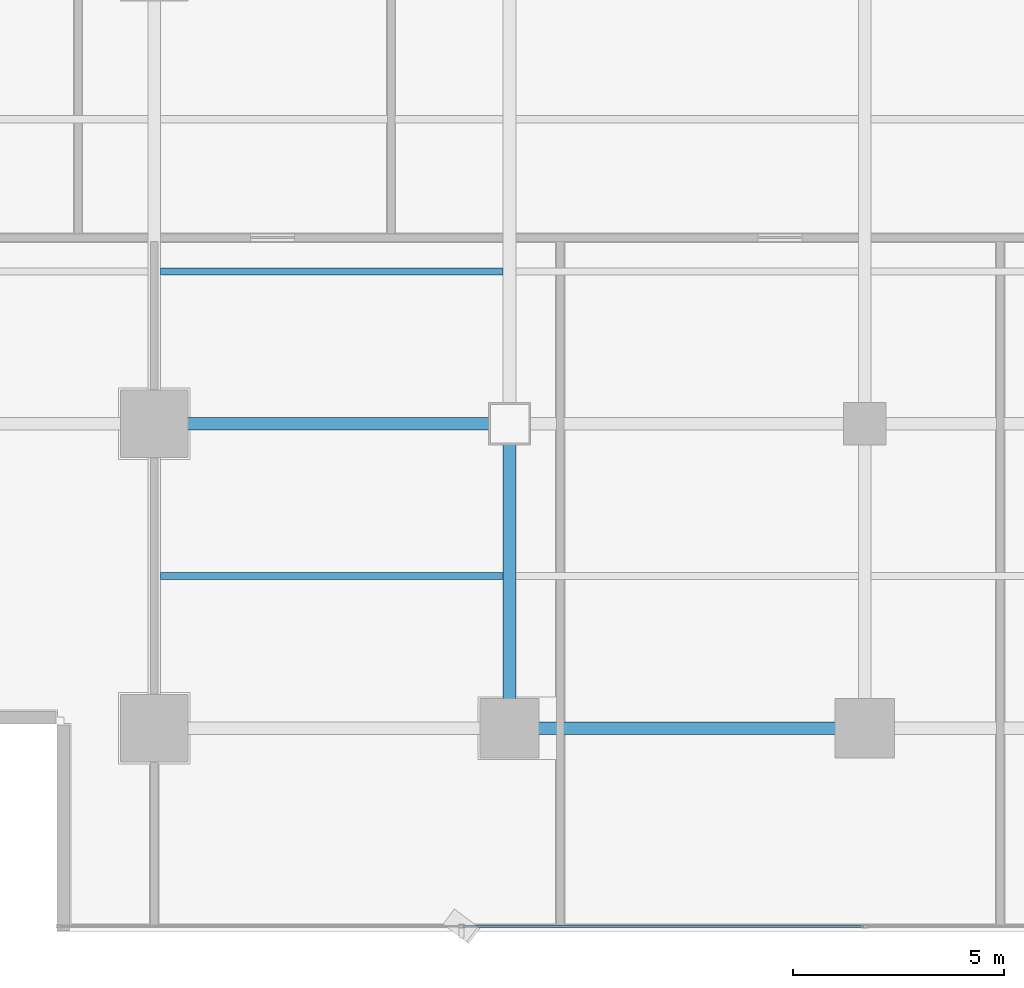
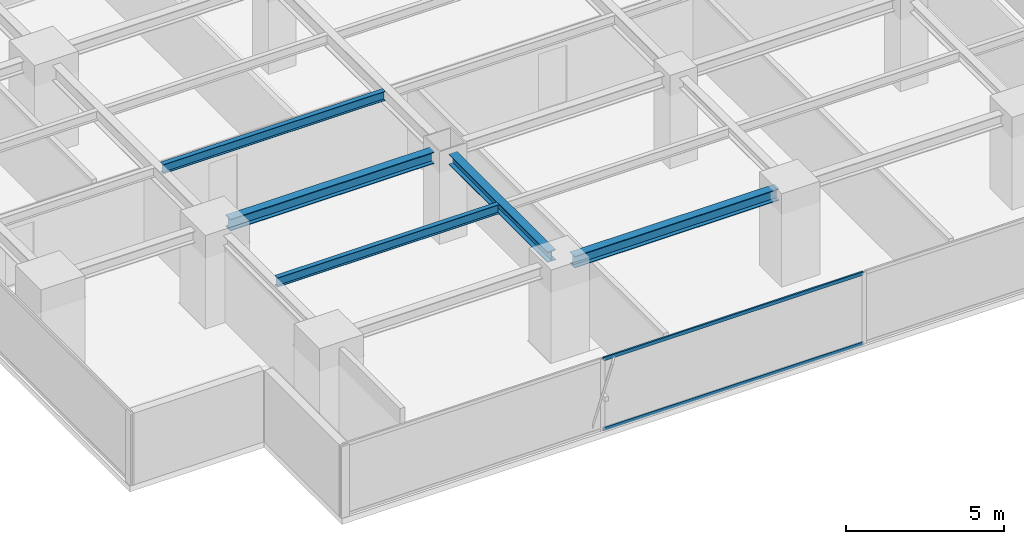
# One storey, part 4 of 28: 5 beams, 2 members, 1 element without a shape of its own.
"""IFC4 building model written with IfcOpenShell, lengths in metres."""

from ifc_helpers import new_model, si_unit, direction, frame, origin, origin_2d, place, context, subcontext, project, spatial, hollow_rectangle, i_section, extrude, source, transform, mapped, material, layer, layer_set, material_profile, profile_set, type_object, element, aggregate, save


model = new_model("IFC4")

# Units and contexts
model_context = context("Model", 3, precision=1e-05, world=origin(), true_north=direction((0.0, 1.0)))
body_context = subcontext(model_context, "Body", "Model", "MODEL_VIEW")
ifc_project = project(units=[si_unit("LENGTHUNIT", "METRE"), si_unit("AREAUNIT", "SQUARE_METRE"), si_unit("VOLUMEUNIT", "CUBIC_METRE"), si_unit("PLANEANGLEUNIT", "RADIAN"), si_unit("MASSUNIT", "GRAM", prefix="KILO")], contexts=[model_context])

# Site, building, storey
site_placement = place(None, origin())
site = spatial("IfcSite", under=ifc_project, at=site_placement, CompositionType="ELEMENT")
building_placement = place(site_placement, origin())
building = spatial("IfcBuilding", under=site, at=building_placement, Name="Sumidabori Civic Tower", CompositionType="ELEMENT")
storey_placement = place(building_placement, frame((0.0, 0.0, 167.60009765625)))
storey = spatial("IfcBuildingStorey", under=building, at=storey_placement, Name="L43", CompositionType="ELEMENT", Elevation=167.60009765625)

# Beams
ifc_material_1 = material(Name="Steel SN490", Category="steel")
ifc_material_profile_1 = material_profile(ifc_material_1, i_section(OverallWidth=0.300048828125, OverallDepth=0.39990234375, WebThickness=0.013427734375, FlangeThickness=0.02392578125, at=origin_2d()), Name="HE 400 B")
ifc_profile_set_1 = profile_set([ifc_material_profile_1], Name="Steel SN490")
beam_type_1 = type_object("IfcBeamType", Name="BM-GIRD-400", PredefinedType="BEAM", material=ifc_profile_set_1)
shared_shape_1 = source(origin(), body_context, "Body", "SweptSolid", [
    extrude(i_section(OverallWidth=0.300048828125, OverallDepth=0.39990234375, WebThickness=0.013427734375, FlangeThickness=0.02392578125, at=origin_2d()), origin(), (0.0, 0.0, 1.0), 6.239990234375),
])
beam_1_placement = place(storey_placement, frame((-8.39990234375, -17.52001953125, 3.179931640625), z_axis=(0.0, 1.0, 0.0), x_axis=(-1.0, 0.0, 0.0)))
element("IfcBeam", 1, at=beam_1_placement, inside=storey, type_object=beam_type_1, Name="Primary Girder L43 GY-26", PredefinedType="BEAM", context=body_context, shape_type="MappedRepresentation", body=[
    mapped(shared_shape_1, transform((0.0, 0.0, 0.0), x_axis=(1.0, 0.0, 0.0), y_axis=(0.0, 1.0, 0.0), z_axis=(0.0, 0.0, 1.0), scale=1.0)),
])
ifc_material_profile_2 = material_profile(ifc_material_1, i_section(OverallWidth=0.169921875, OverallDepth=0.360107421875, WebThickness=0.008056640625, FlangeThickness=0.0126953125, at=origin_2d()), Name="IPE 360")
ifc_profile_set_2 = profile_set([ifc_material_profile_2], Name="Steel SN490")
beam_type_2 = type_object("IfcBeamType", Name="BM-JST-360", PredefinedType="JOIST", material=ifc_profile_set_2)
shared_shape_2 = source(origin(), body_context, "Body", "SweptSolid", [
    extrude(i_section(OverallWidth=0.169921875, OverallDepth=0.360107421875, WebThickness=0.008056640625, FlangeThickness=0.0126953125, at=origin_2d()), origin(), (0.0, 0.0, 1.0), 8.099853515625),
])
for number, where, z_axis, x_axis, name in (
    (2, (-16.64990234375, -14.39990234375, 3.199951171875), (1.0, 0.0, 0.0), (0.0, 1.0, 0.0), "South Bay Floor Joist L43 JSTS-49"),
    (3, (-16.64990234375, -7.199951171875, 3.199951171875), (1.0, 0.0, 0.0), (0.0, 1.0, 0.0), "South Bay Floor Joist L43 JSTS-53"),
):
    element("IfcBeam", number, at=place(storey_placement, frame(where, z_axis=z_axis, x_axis=x_axis)), inside=storey, type_object=beam_type_2, Name=name, PredefinedType="JOIST", context=body_context, shape_type="MappedRepresentation", body=[
        mapped(shared_shape_2, transform((0.0, 0.0, 0.0), x_axis=(1.0, 0.0, 0.0), y_axis=(0.0, 1.0, 0.0), z_axis=(0.0, 0.0, 1.0), scale=1.0)),
    ])
ifc_material_profile_3 = material_profile(ifc_material_1, i_section(OverallWidth=0.300048828125, OverallDepth=0.449951171875, WebThickness=0.013916015625, FlangeThickness=0.02587890625, at=origin_2d()), Name="HE 450 B")
ifc_profile_set_3 = profile_set([ifc_material_profile_3], Name="Steel SN490")
beam_type_3 = type_object("IfcBeamType", Name="BM-GIRD-450", PredefinedType="BEAM", material=ifc_profile_set_3)
shared_shape_3 = source(origin(), body_context, "Body", "SweptSolid", [
    extrude(i_section(OverallWidth=0.300048828125, OverallDepth=0.449951171875, WebThickness=0.013916015625, FlangeThickness=0.02587890625, at=origin_2d()), origin(), (0.0, 0.0, 1.0), 7.440185546875),
])
beam_2_placement = place(storey_placement, frame((-16.320068359375, -10.800048828125, 3.15478515625), z_axis=(1.0, 0.0, 0.0), x_axis=(0.0, 1.0, 0.0)))
element("IfcBeam", 4, at=beam_2_placement, inside=storey, type_object=beam_type_3, Name="Primary Girder L43 GX-06", PredefinedType="BEAM", context=body_context, shape_type="MappedRepresentation", body=[
    mapped(shared_shape_3, transform((0.0, 0.0, 0.0), x_axis=(1.0, 0.0, 0.0), y_axis=(0.0, 1.0, 0.0), z_axis=(0.0, 0.0, 1.0), scale=1.0)),
])
shared_shape_4 = source(origin(), body_context, "Body", "SweptSolid", [
    extrude(i_section(OverallWidth=0.300048828125, OverallDepth=0.449951171875, WebThickness=0.013916015625, FlangeThickness=0.02587890625, at=origin_2d()), origin(), (0.0, 0.0, 1.0), 7.43994140625),
])
beam_3_placement = place(storey_placement, frame((-7.919921875, -18.0, 3.15478515625), z_axis=(1.0, 0.0, 0.0), x_axis=(0.0, 1.0, 0.0)))
element("IfcBeam", 5, at=beam_3_placement, inside=storey, type_object=beam_type_3, Name="Primary Girder L43 GX-02", PredefinedType="BEAM", context=body_context, shape_type="MappedRepresentation", body=[
    mapped(shared_shape_4, transform((0.0, 0.0, 0.0), x_axis=(1.0, 0.0, 0.0), y_axis=(0.0, 1.0, 0.0), z_axis=(0.0, 0.0, 1.0), scale=1.0)),
])

# Curtain wall, members
ifc_material_2 = material(Name="Anodised Bronze Aluminium AW-6063-T6", Category="aluminium")
ifc_layer = layer(ifc_material_2, 0.179931640625, Name="Anodised Bronze Aluminium AW-6063-T6")
ifc_layer_set = layer_set([ifc_layer], Name="Anodised Bronze Aluminium AW-6063-T6")
curtain_wall_type = type_object("IfcCurtainWallType", Name="CW-SYS-3", PredefinedType="NOTDEFINED", material=ifc_layer_set)
curtain_wall_placement = place(storey_placement, origin())
curtain_wall = element("IfcCurtainWall", 6, at=curtain_wall_placement, inside=storey, type_object=curtain_wall_type, Name="Curtain Wall CW:L43:R01", PredefinedType="NOTDEFINED")
ifc_material_profile_4 = material_profile(ifc_material_2, hollow_rectangle(XDim=0.06005859375, YDim=0.1298828125, WallThickness=0.0048828125, at=origin_2d()), Name="ALU TRANSOM 130x60")
ifc_profile_set_4 = profile_set([ifc_material_profile_4], Name="Anodised Bronze Aluminium AW-6063-T6")
member_type = type_object("IfcMemberType", Name="CW-TRN-130", PredefinedType="USERDEFINED", material=ifc_profile_set_4)
shared_shape_5 = source(origin(), body_context, "Body", "SweptSolid", [
    extrude(hollow_rectangle(XDim=0.06005859375, YDim=0.1298828125, WallThickness=0.0048828125, at=origin_2d()), origin(), (0.0, 0.0, 1.0), 9.469970703125),
])
member_1_placement = place(storey_placement, frame((-9.50244140625, -22.679931640625, 0.02978515625), z_axis=(1.0, 0.0, 0.0), x_axis=(0.0, 1.0, 0.0)))
member_1 = element("IfcMember", 7, at=member_1_placement, type_object=member_type, Name="CW-3 transom 2.1", ObjectType="TRANSOM", PredefinedType="USERDEFINED", context=body_context, shape_type="MappedRepresentation", body=[
    mapped(shared_shape_5, transform((0.0, 0.0, 0.0), x_axis=(1.0, 0.0, 0.0), y_axis=(0.0, 1.0, 0.0), z_axis=(0.0, 0.0, 1.0), scale=1.0)),
])
member_2_placement = place(storey_placement, frame((-9.50244140625, -22.679931640625, 2.72998046875), z_axis=(1.0, 0.0, 0.0), x_axis=(0.0, 1.0, 0.0)))
member_2 = element("IfcMember", 8, at=member_2_placement, type_object=member_type, Name="CW-3 transom 2.2", ObjectType="TRANSOM", PredefinedType="USERDEFINED", context=body_context, shape_type="MappedRepresentation", body=[
    mapped(shared_shape_5, transform((0.0, 0.0, 0.0), x_axis=(1.0, 0.0, 0.0), y_axis=(0.0, 1.0, 0.0), z_axis=(0.0, 0.0, 1.0), scale=1.0)),
])
aggregate(curtain_wall, [member_1, member_2])

save(model, "model.ifc")
